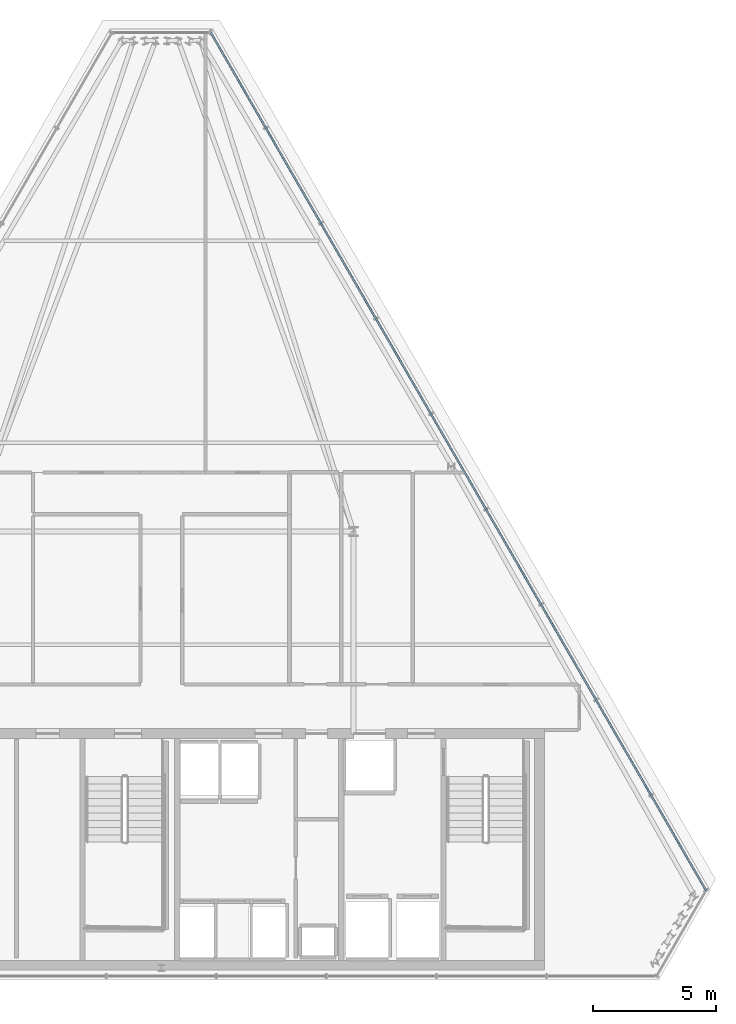
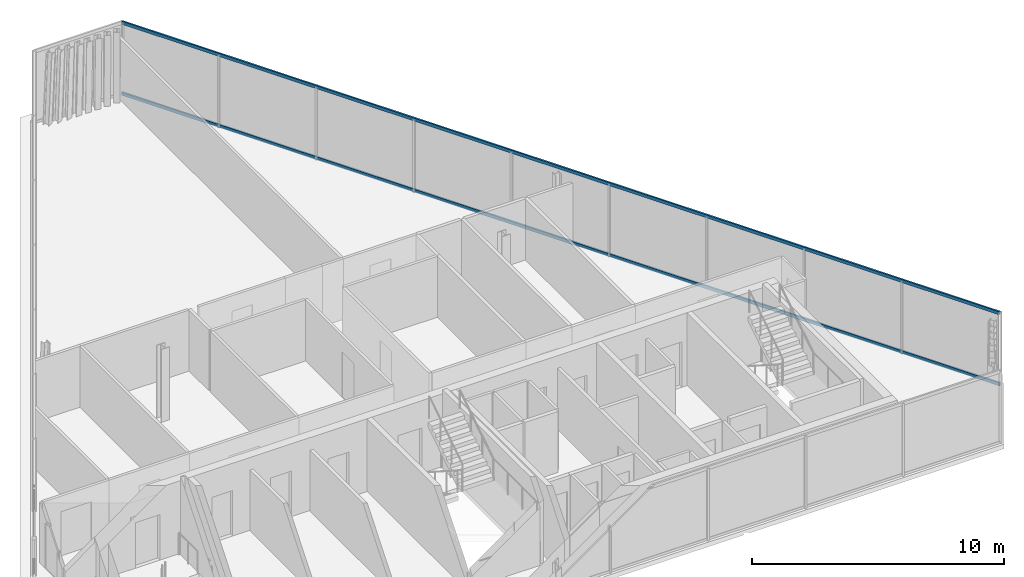
# One storey, part 23 of 32: 2 members, 1 element without a shape of its own.
"""IFC4 building model written with IfcOpenShell, lengths in metres."""

from ifc_helpers import new_model, si_unit, direction, frame, origin, origin_2d, place, context, subcontext, project, spatial, hollow_rectangle, extrude, material, layer, layer_set, material_profile, profile_set, type_object, element, aggregate, save


model = new_model("IFC4")

# Units and contexts
model_context = context("Model", 3, precision=1e-05, world=origin(), true_north=direction((0.0, 1.0)))
body_context = subcontext(model_context, "Body", "Model", "MODEL_VIEW")
ifc_project = project(units=[si_unit("LENGTHUNIT", "METRE"), si_unit("AREAUNIT", "SQUARE_METRE"), si_unit("VOLUMEUNIT", "CUBIC_METRE"), si_unit("PLANEANGLEUNIT", "RADIAN"), si_unit("MASSUNIT", "GRAM", prefix="KILO")], contexts=[model_context])

# Site, building, storey
site_placement = place(None, origin())
site = spatial("IfcSite", under=ifc_project, at=site_placement, CompositionType="ELEMENT")
building_placement = place(site_placement, origin())
building = spatial("IfcBuilding", under=site, at=building_placement, Name="Ndaravel Arena Tower", CompositionType="ELEMENT")
storey_placement = place(building_placement, frame((0.0, 0.0, 294.699951171875)))
storey = spatial("IfcBuildingStorey", under=building, at=storey_placement, Name="L72", CompositionType="ELEMENT", Elevation=294.699951171875)

# Curtain wall, members
ifc_material_1 = material(Name="Aluminium", Category="aluminium")
ifc_layer = layer(ifc_material_1, 0.179931640625)
ifc_layer_set = layer_set([ifc_layer], Name="Aluminium")
curtain_wall_type = type_object("IfcCurtainWallType", Name="CW-SYS-03", PredefinedType="NOTDEFINED", material=ifc_layer_set)
curtain_wall_placement = place(storey_placement, origin())
curtain_wall = element("IfcCurtainWall", 1, at=curtain_wall_placement, inside=storey, type_object=curtain_wall_type, Name="L72 Faceted Crystal Curtain Wall CW-L72-E03", PredefinedType="NOTDEFINED")
ifc_material_2 = material(Name="Aluminium", Category="aluminium")
ifc_material_profile = material_profile(ifc_material_2, hollow_rectangle(XDim=0.074951171875, YDim=0.14990234375, WallThickness=0.00390625, at=origin_2d()), Name="CW TRANSOM 75x150x4")
ifc_profile_set = profile_set([ifc_material_profile], Name="Aluminium")
member_type = type_object("IfcMemberType", Name="MEM-CW-TRN150", PredefinedType="USERDEFINED", material=ifc_profile_set)
member_1_placement = place(storey_placement, frame((64.10400390625, 8.635986328125, 0.0400390625), z_axis=(-0.499997260419, 0.866026985477, 0.0), x_axis=(-0.866026985477, -0.499997260419, 0.0)))
member_1 = element("IfcMember", 2, at=member_1_placement, type_object=member_type, Name="CW-L72-E03 Transom 01", ObjectType="TRANSOM", PredefinedType="USERDEFINED", context=body_context, shape_type="SweptSolid", body=[
    extrude(hollow_rectangle(XDim=0.074951171875, YDim=0.14990234375, WallThickness=0.00390625, at=origin_2d()), origin(), (0.0, 0.0, 1.0), 40.194580078125),
])
member_2_placement = place(storey_placement, frame((64.10400390625, 8.635986328125, 3.47998046875), z_axis=(-0.499997260419, 0.866026985477, 0.0), x_axis=(-0.866026985477, -0.499997260419, 0.0)))
member_2 = element("IfcMember", 3, at=member_2_placement, type_object=member_type, Name="CW-L72-E03 Transom 02", ObjectType="TRANSOM", PredefinedType="USERDEFINED", context=body_context, shape_type="SweptSolid", body=[
    extrude(hollow_rectangle(XDim=0.074951171875, YDim=0.14990234375, WallThickness=0.00390625, at=origin_2d()), origin(), (0.0, 0.0, 1.0), 40.194580078125),
])
aggregate(curtain_wall, [member_1, member_2])

save(model, "model.ifc")
